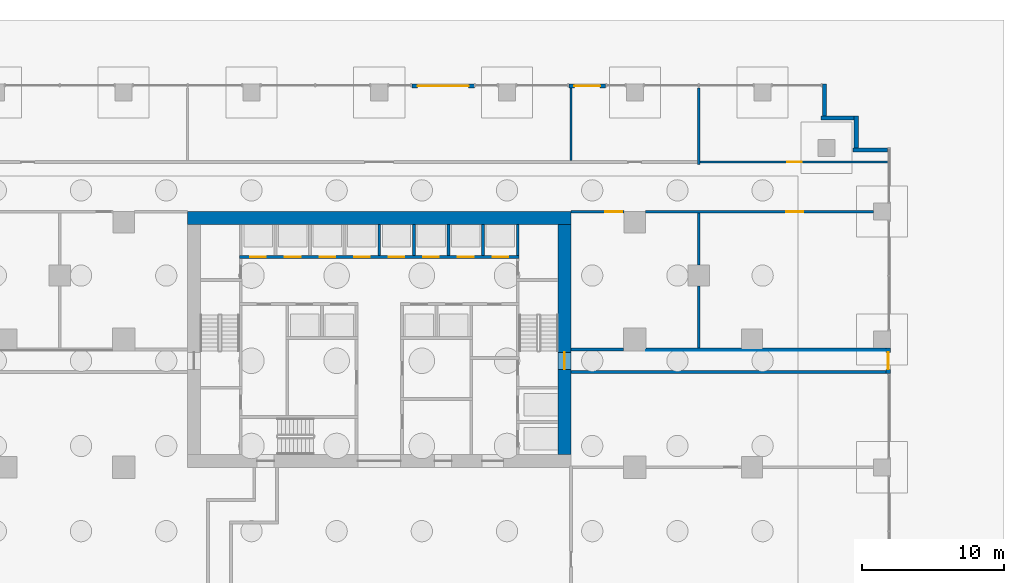
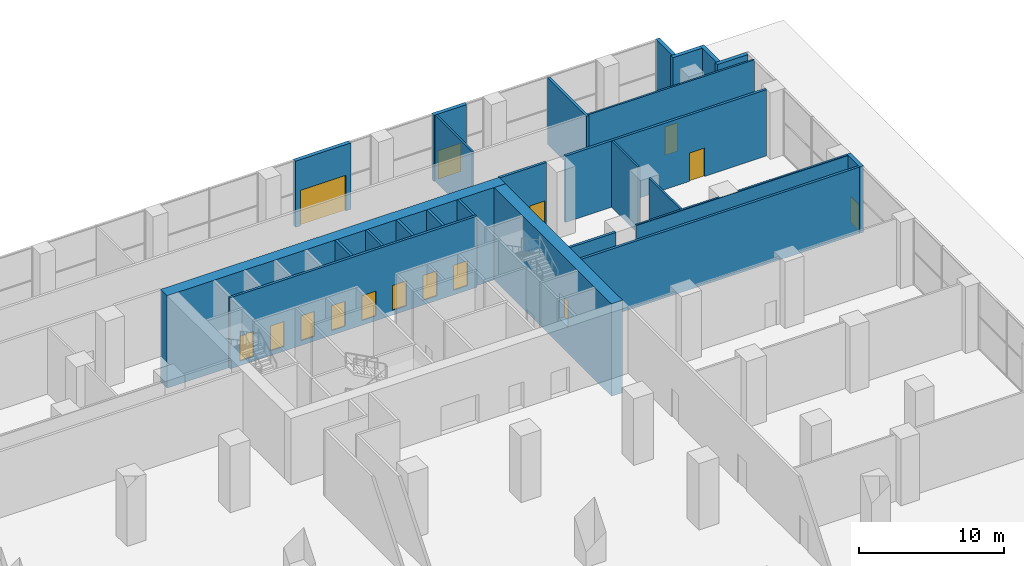
# One storey, part 17 of 20: 27 walls, 15 doors, 15 openings.
"""IFC4 building model written with IfcOpenShell, lengths in metres."""

from ifc_helpers import new_model, si_unit, direction, frame, frame_2d, origin, place, context, subcontext, project, spatial, rectangle, extrude, material, layer, layer_set, type_object, element, fill, save


model = new_model("IFC4")

# Units and contexts
model_context = context("Model", 3, precision=1e-05, world=origin(), true_north=direction((0.0, 1.0)))
body_context = subcontext(model_context, "Body", "Model", "MODEL_VIEW")
ifc_project = project(units=[si_unit("LENGTHUNIT", "METRE"), si_unit("AREAUNIT", "SQUARE_METRE"), si_unit("VOLUMEUNIT", "CUBIC_METRE"), si_unit("PLANEANGLEUNIT", "RADIAN"), si_unit("MASSUNIT", "GRAM", prefix="KILO")], contexts=[model_context])

# Site, building, storey
site_placement = place(None, origin())
site = spatial("IfcSite", under=ifc_project, at=site_placement, CompositionType="ELEMENT")
building_placement = place(site_placement, origin())
building = spatial("IfcBuilding", under=site, at=building_placement, Name="Orbiselva Terraces", CompositionType="ELEMENT")
storey_placement = place(building_placement, origin())
storey = spatial("IfcBuildingStorey", under=building, at=storey_placement, Name="L00", CompositionType="ELEMENT", Elevation=0.0)

# Wall, opening, door
ifc_material_1 = material(Name="Concrete C80/95", Category="concrete")
ifc_layer_1 = layer(ifc_material_1, 0.9)
ifc_layer_set_1 = layer_set([ifc_layer_1], Name="Concrete C80/95")
wall_type_1 = type_object("IfcWallType", Name="CORE WALL 900", PredefinedType="SHEAR", material=ifc_layer_set_1)
wall_1_placement = place(storey_placement, frame((13.05, 5.4, -2.2), z_axis=(0.0, 0.0, 1.0), x_axis=(0.0, 1.0, 0.0)))
wall_1 = element("IfcWall", 1, at=wall_1_placement, inside=storey, type_object=wall_type_1, Name="Core wall L00 east", PredefinedType="SHEAR", context=body_context, shape_type="SweptSolid", body=[
    extrude(rectangle(XDim=16.2, YDim=0.9, at=frame_2d((8.1, 0.0))), origin(), (0.0, 0.0, 1.0), 7.8),
])
opening_1_placement = place(wall_1_placement, frame((6.0, 0.0, 2.2)))
opening_1 = element("IfcOpeningElement", 2, at=opening_1_placement, cuts=wall_1, Name="Opening DS1200", PredefinedType="OPENING", context=body_context, shape_type="SweptSolid", body=[
    extrude(rectangle(XDim=1.2, YDim=2.2, at=frame_2d((0.6, 1.1))), frame((0.0, 0.46, 0.0), z_axis=(0.0, -1.0, 0.0), x_axis=(1.0, 0.0, 0.0)), (0.0, 0.0, 1.0), 0.92),
])
ifc_material_2 = material(Name="Steel fire door", Category="steel")
door_type_1 = type_object("IfcDoorType", Name="STAIR DOOR 1200", OperationType="NOTDEFINED", PredefinedType="DOOR", material=ifc_material_2)
door_1_placement = place(opening_1_placement, frame((1.2, 0.0, 0.0), z_axis=(0.0, 0.0, 1.0), x_axis=(-1.0, 0.0, 0.0)))
door_1 = element("IfcDoor", 3, at=door_1_placement, inside=storey, type_object=door_type_1, Name="L00 EXIT STAIR S2 door", OperationType="SINGLE_SWING_LEFT", OverallHeight=2.2, OverallWidth=1.2, PredefinedType="DOOR", context=body_context, shape_type="SweptSolid", body=[
    extrude(rectangle(XDim=1.2, YDim=2.2, at=frame_2d((0.6, 1.1))), frame((0.0, 0.025, 0.0), z_axis=(0.0, -1.0, 0.0), x_axis=(1.0, 0.0, 0.0)), (0.0, 0.0, 1.0), 0.05),
])
fill(opening_1, door_1)

# Walls
ifc_layer_2 = layer(ifc_material_1, 0.9)
ifc_layer_set_2 = layer_set([ifc_layer_2], Name="Concrete C80/95")
wall_type_2 = type_object("IfcWallType", Name="CORE WALL 900 EXTERNAL", PredefinedType="SHEAR", material=ifc_layer_set_2)
wall_2_placement = place(storey_placement, frame((13.5, 22.05, -2.2), z_axis=(0.0, 0.0, 1.0), x_axis=(-1.0, 0.0, 0.0)))
element("IfcWall", 4, at=wall_2_placement, inside=storey, type_object=wall_type_2, Name="Core wall L00 north", PredefinedType="SHEAR", context=body_context, shape_type="SweptSolid", body=[
    extrude(rectangle(XDim=27.0, YDim=0.9, at=frame_2d((13.5, 0.0))), origin(), (0.0, 0.0, 1.0), 7.8),
])
ifc_material_3 = material(Name="Masonry blockwork", Category="masonry")
ifc_layer_3 = layer(ifc_material_3, 0.15)
ifc_layer_set_3 = layer_set([ifc_layer_3], Name="Masonry blockwork")
wall_type_3 = type_object("IfcWallType", Name="CORE-WALL-PARTITION-150-EI120", PredefinedType="PARTITIONING", material=ifc_layer_set_3)
wall_3_placement = place(storey_placement, frame((18.8, 12.825, 0.0), z_axis=(0.0, 0.0, 1.0), x_axis=(1.0, 0.0, 0.0)))
element("IfcWall", 5, at=wall_3_placement, inside=storey, type_object=wall_type_3, Name="EXIT PASSAGE S2 wall 4", PredefinedType="PARTITIONING", context=body_context, shape_type="SweptSolid", body=[
    extrude(rectangle(XDim=6.7, YDim=0.15, at=frame_2d((3.35, 0.0))), origin(), (0.0, 0.0, 1.0), 5.6),
])
wall_4_placement = place(storey_placement, frame((27.0, 12.825, 0.0), z_axis=(0.0, 0.0, 1.0), x_axis=(1.0, 0.0, 0.0)))
element("IfcWall", 6, at=wall_4_placement, inside=storey, type_object=wall_type_3, Name="EXIT PASSAGE S2 wall 5", PredefinedType="PARTITIONING", context=body_context, shape_type="SweptSolid", body=[
    extrude(rectangle(XDim=8.7, YDim=0.15, at=frame_2d((4.35, 0.0))), origin(), (0.0, 0.0, 1.0), 5.6),
])
ifc_layer_4 = layer(ifc_material_3, 0.2)
ifc_layer_set_4 = layer_set([ifc_layer_4], Name="Masonry blockwork")
wall_type_4 = type_object("IfcWallType", Name="CORE-WALL-PARTITION-200-EI120", PredefinedType="PARTITIONING", material=ifc_layer_set_4)
wall_5_placement = place(storey_placement, frame((13.5, 11.2, 0.0), z_axis=(0.0, 0.0, 1.0), x_axis=(1.0, 0.0, 0.0)))
element("IfcWall", 7, at=wall_5_placement, inside=storey, type_object=wall_type_4, Name="EXIT PASSAGE S2 wall 1", PredefinedType="PARTITIONING", context=body_context, shape_type="SweptSolid", body=[
    extrude(rectangle(XDim=22.2, YDim=0.2, at=frame_2d((11.1, 0.0))), origin(), (0.0, 0.0, 1.0), 5.6),
])
wall_6_placement = place(storey_placement, frame((13.5, 12.8, 0.0), z_axis=(0.0, 0.0, 1.0), x_axis=(1.0, 0.0, 0.0)))
element("IfcWall", 8, at=wall_6_placement, inside=storey, type_object=wall_type_4, Name="EXIT PASSAGE S2 wall 2", PredefinedType="PARTITIONING", context=body_context, shape_type="SweptSolid", body=[
    extrude(rectangle(XDim=3.7, YDim=0.2, at=frame_2d((1.85, 0.0))), origin(), (0.0, 0.0, 1.0), 5.6),
])

# Wall, opening, door
ifc_layer_5 = layer(ifc_material_3, 0.3)
ifc_layer_set_5 = layer_set([ifc_layer_5], Name="Masonry blockwork")
wall_type_5 = type_object("IfcWallType", Name="CORE-WALL-PARTITION-300-EI120", PredefinedType="PARTITIONING", material=ifc_layer_set_5)
wall_7_placement = place(storey_placement, frame((35.85, 12.9, 0.0), z_axis=(0.0, 0.0, 1.0), x_axis=(0.0, -1.0, 0.0)))
wall_7 = element("IfcWall", 9, at=wall_7_placement, inside=storey, type_object=wall_type_5, Name="EXIT PASSAGE S2 end wall", PredefinedType="PARTITIONING", context=body_context, shape_type="SweptSolid", body=[
    extrude(rectangle(XDim=1.8, YDim=0.3, at=frame_2d((0.9, 0.0))), origin(), (0.0, 0.0, 1.0), 5.6),
])
opening_2_placement = place(wall_7_placement, frame((0.3, 0.0, 0.0)))
opening_2 = element("IfcOpeningElement", 10, at=opening_2_placement, cuts=wall_7, Name="Opening CX2", PredefinedType="OPENING", context=body_context, shape_type="SweptSolid", body=[
    extrude(rectangle(XDim=1.2, YDim=2.2, at=frame_2d((0.6, 1.1))), frame((0.0, 0.16, 0.0), z_axis=(0.0, -1.0, 0.0), x_axis=(1.0, 0.0, 0.0)), (0.0, 0.0, 1.0), 0.32),
])
door_2_placement = place(opening_2_placement, origin())
door_2 = element("IfcDoor", 11, at=door_2_placement, inside=storey, type_object=door_type_1, Name="EXIT PASSAGE S2 final exit door", OperationType="SINGLE_SWING_LEFT", OverallHeight=2.2, OverallWidth=1.2, PredefinedType="DOOR", context=body_context, shape_type="SweptSolid", body=[
    extrude(rectangle(XDim=1.2, YDim=2.2, at=frame_2d((0.6, 1.1))), frame((0.0, 0.025, 0.0), z_axis=(0.0, -1.0, 0.0), x_axis=(1.0, 0.0, 0.0)), (0.0, 0.0, 1.0), 0.05),
])
fill(opening_2, door_2)

# Walls
ifc_layer_6 = layer(ifc_material_3, 0.05)
ifc_layer_set_6 = layer_set([ifc_layer_6], Name="Masonry blockwork")
wall_type_6 = type_object("IfcWallType", Name="CORE-WALL-PARTITION-50-EI120", PredefinedType="PARTITIONING", material=ifc_layer_set_6)
wall_8_placement = place(storey_placement, frame((18.8, 12.725, 0.0), z_axis=(0.0, 0.0, 1.0), x_axis=(1.0, 0.0, 0.0)))
element("IfcWall", 12, at=wall_8_placement, inside=storey, type_object=wall_type_6, Name="EXIT PASSAGE S2 wall 3", PredefinedType="PARTITIONING", context=body_context, shape_type="SweptSolid", body=[
    extrude(rectangle(XDim=16.9, YDim=0.05, at=frame_2d((8.45, 0.0))), origin(), (0.0, 0.0, 1.0), 5.6),
])
ifc_material_4 = material(Name="Concrete C40/50", Category="concrete")
ifc_layer_7 = layer(ifc_material_4, 0.2)
ifc_layer_set_7 = layer_set([ifc_layer_7], Name="Concrete C40/50")
wall_type_7 = type_object("IfcWallType", Name="CORE-WALL-SHAFT-200", PredefinedType="PARTITIONING", material=ifc_layer_set_7)
for number, where, z_axis, x_axis, name in (
    (13, (0.0, 19.4, -0.4), (0.0, 0.0, 1.0), (0.0, 1.0, 0.0), "L00 core wall 22"),
    (14, (2.4375, 19.4, -0.4), (0.0, 0.0, 1.0), (0.0, 1.0, 0.0), "L00 core wall 29"),
    (15, (4.875, 19.4, -0.4), (0.0, 0.0, 1.0), (0.0, 1.0, 0.0), "L00 core wall 31"),
    (16, (7.3125, 19.4, -0.4), (0.0, 0.0, 1.0), (0.0, 1.0, 0.0), "L00 core wall 37"),
    (17, (9.75, 19.4, -0.4), (0.0, 0.0, 1.0), (0.0, 1.0, 0.0), "L00 core wall 47"),
):
    element("IfcWall", number, at=place(storey_placement, frame(where, z_axis=z_axis, x_axis=x_axis)), inside=storey, type_object=wall_type_7, Name=name, PredefinedType="PARTITIONING", context=body_context, shape_type="SweptSolid", body=[
        extrude(rectangle(XDim=2.2, YDim=0.2, at=frame_2d((1.1, 0.0))), origin(), (0.0, 0.0, 1.0), 6.0),
    ])

# Wall, openings, doors
ifc_material_5 = material(Name="Concrete C60/75", Category="concrete")
ifc_layer_8 = layer(ifc_material_5, 0.2)
ifc_layer_set_8 = layer_set([ifc_layer_8], Name="Concrete C60/75")
wall_type_8 = type_object("IfcWallType", Name="CORE-WALL-SHEAR-200", PredefinedType="SHEAR", material=ifc_layer_set_8)
wall_9_placement = place(storey_placement, frame((-9.85, 19.3, -0.4), z_axis=(0.0, 0.0, 1.0), x_axis=(1.0, 0.0, 0.0)))
wall_9 = element("IfcWall", 18, at=wall_9_placement, inside=storey, type_object=wall_type_8, Name="L00 core wall 10", PredefinedType="SHEAR", context=body_context, shape_type="SweptSolid", body=[
    extrude(rectangle(XDim=19.7, YDim=0.2, at=frame_2d((9.85, 0.0))), origin(), (0.0, 0.0, 1.0), 6.0),
])
opening_3_placement = place(wall_9_placement, frame((0.76875, 0.0, 0.4)))
opening_3 = element("IfcOpeningElement", 19, at=opening_3_placement, cuts=wall_9, Name="Opening LD-LR1", PredefinedType="OPENING", context=body_context, shape_type="SweptSolid", body=[
    extrude(rectangle(XDim=1.1, YDim=2.1, at=frame_2d((0.55, 1.05))), frame((0.0, 0.11, 0.0), z_axis=(0.0, -1.0, 0.0), x_axis=(1.0, 0.0, 0.0)), (0.0, 0.0, 1.0), 0.22),
])
opening_4_placement = place(wall_9_placement, frame((3.20625, 0.0, 0.4)))
opening_4 = element("IfcOpeningElement", 20, at=opening_4_placement, cuts=wall_9, Name="Opening LD-LR2", PredefinedType="OPENING", context=body_context, shape_type="SweptSolid", body=[
    extrude(rectangle(XDim=1.1, YDim=2.1, at=frame_2d((0.55, 1.05))), frame((0.0, 0.11, 0.0), z_axis=(0.0, -1.0, 0.0), x_axis=(1.0, 0.0, 0.0)), (0.0, 0.0, 1.0), 0.22),
])
opening_5_placement = place(wall_9_placement, frame((5.64375, 0.0, 0.4)))
opening_5 = element("IfcOpeningElement", 21, at=opening_5_placement, cuts=wall_9, Name="Opening LD-LR3", PredefinedType="OPENING", context=body_context, shape_type="SweptSolid", body=[
    extrude(rectangle(XDim=1.1, YDim=2.1, at=frame_2d((0.55, 1.05))), frame((0.0, 0.11, 0.0), z_axis=(0.0, -1.0, 0.0), x_axis=(1.0, 0.0, 0.0)), (0.0, 0.0, 1.0), 0.22),
])
opening_6_placement = place(wall_9_placement, frame((8.08125, 0.0, 0.4)))
opening_6 = element("IfcOpeningElement", 22, at=opening_6_placement, cuts=wall_9, Name="Opening LD-LR4", PredefinedType="OPENING", context=body_context, shape_type="SweptSolid", body=[
    extrude(rectangle(XDim=1.1, YDim=2.1, at=frame_2d((0.55, 1.05))), frame((0.0, 0.11, 0.0), z_axis=(0.0, -1.0, 0.0), x_axis=(1.0, 0.0, 0.0)), (0.0, 0.0, 1.0), 0.22),
])
opening_7_placement = place(wall_9_placement, frame((10.51875, 0.0, 0.4)))
opening_7 = element("IfcOpeningElement", 23, at=opening_7_placement, cuts=wall_9, Name="Opening LD-HR1", PredefinedType="OPENING", context=body_context, shape_type="SweptSolid", body=[
    extrude(rectangle(XDim=1.1, YDim=2.1, at=frame_2d((0.55, 1.05))), frame((0.0, 0.11, 0.0), z_axis=(0.0, -1.0, 0.0), x_axis=(1.0, 0.0, 0.0)), (0.0, 0.0, 1.0), 0.22),
])
opening_8_placement = place(wall_9_placement, frame((12.95625, 0.0, 0.4)))
opening_8 = element("IfcOpeningElement", 24, at=opening_8_placement, cuts=wall_9, Name="Opening LD-HR2", PredefinedType="OPENING", context=body_context, shape_type="SweptSolid", body=[
    extrude(rectangle(XDim=1.1, YDim=2.1, at=frame_2d((0.55, 1.05))), frame((0.0, 0.11, 0.0), z_axis=(0.0, -1.0, 0.0), x_axis=(1.0, 0.0, 0.0)), (0.0, 0.0, 1.0), 0.22),
])
opening_9_placement = place(wall_9_placement, frame((15.39375, 0.0, 0.4)))
opening_9 = element("IfcOpeningElement", 25, at=opening_9_placement, cuts=wall_9, Name="Opening LD-HR3", PredefinedType="OPENING", context=body_context, shape_type="SweptSolid", body=[
    extrude(rectangle(XDim=1.1, YDim=2.1, at=frame_2d((0.55, 1.05))), frame((0.0, 0.11, 0.0), z_axis=(0.0, -1.0, 0.0), x_axis=(1.0, 0.0, 0.0)), (0.0, 0.0, 1.0), 0.22),
])
opening_10_placement = place(wall_9_placement, frame((17.83125, 0.0, 0.4)))
opening_10 = element("IfcOpeningElement", 26, at=opening_10_placement, cuts=wall_9, Name="Opening LD-HR4", PredefinedType="OPENING", context=body_context, shape_type="SweptSolid", body=[
    extrude(rectangle(XDim=1.1, YDim=2.1, at=frame_2d((0.55, 1.05))), frame((0.0, 0.11, 0.0), z_axis=(0.0, -1.0, 0.0), x_axis=(1.0, 0.0, 0.0)), (0.0, 0.0, 1.0), 0.22),
])
ifc_material_6 = material(Name="Stainless steel landing door", Category="steel")
door_type_2 = type_object("IfcDoorType", Name="LANDING DOOR 1100", OperationType="SLIDING_TO_LEFT", PredefinedType="DOOR", material=ifc_material_6)
door_3_placement = place(opening_3_placement, origin())
door_3 = element("IfcDoor", 27, at=door_3_placement, inside=storey, type_object=door_type_2, Name="L00 landing door LR1", OperationType="SLIDING_TO_LEFT", OverallHeight=2.1, OverallWidth=1.1, PredefinedType="DOOR", context=body_context, shape_type="SweptSolid", body=[
    extrude(rectangle(XDim=1.1, YDim=2.1, at=frame_2d((0.55, 1.05))), frame((0.0, 0.025, 0.0), z_axis=(0.0, -1.0, 0.0), x_axis=(1.0, 0.0, 0.0)), (0.0, 0.0, 1.0), 0.05),
])
fill(opening_3, door_3)
door_4_placement = place(opening_4_placement, origin())
door_4 = element("IfcDoor", 28, at=door_4_placement, inside=storey, type_object=door_type_2, Name="L00 landing door LR2", OperationType="SLIDING_TO_LEFT", OverallHeight=2.1, OverallWidth=1.1, PredefinedType="DOOR", context=body_context, shape_type="SweptSolid", body=[
    extrude(rectangle(XDim=1.1, YDim=2.1, at=frame_2d((0.55, 1.05))), frame((0.0, 0.025, 0.0), z_axis=(0.0, -1.0, 0.0), x_axis=(1.0, 0.0, 0.0)), (0.0, 0.0, 1.0), 0.05),
])
fill(opening_4, door_4)
door_5_placement = place(opening_5_placement, origin())
door_5 = element("IfcDoor", 29, at=door_5_placement, inside=storey, type_object=door_type_2, Name="L00 landing door LR3", OperationType="SLIDING_TO_LEFT", OverallHeight=2.1, OverallWidth=1.1, PredefinedType="DOOR", context=body_context, shape_type="SweptSolid", body=[
    extrude(rectangle(XDim=1.1, YDim=2.1, at=frame_2d((0.55, 1.05))), frame((0.0, 0.025, 0.0), z_axis=(0.0, -1.0, 0.0), x_axis=(1.0, 0.0, 0.0)), (0.0, 0.0, 1.0), 0.05),
])
fill(opening_5, door_5)
door_6_placement = place(opening_6_placement, origin())
door_6 = element("IfcDoor", 30, at=door_6_placement, inside=storey, type_object=door_type_2, Name="L00 landing door LR4", OperationType="SLIDING_TO_LEFT", OverallHeight=2.1, OverallWidth=1.1, PredefinedType="DOOR", context=body_context, shape_type="SweptSolid", body=[
    extrude(rectangle(XDim=1.1, YDim=2.1, at=frame_2d((0.55, 1.05))), frame((0.0, 0.025, 0.0), z_axis=(0.0, -1.0, 0.0), x_axis=(1.0, 0.0, 0.0)), (0.0, 0.0, 1.0), 0.05),
])
fill(opening_6, door_6)
door_7_placement = place(opening_7_placement, origin())
door_7 = element("IfcDoor", 31, at=door_7_placement, inside=storey, type_object=door_type_2, Name="L00 landing door HR1", OperationType="SLIDING_TO_RIGHT", OverallHeight=2.1, OverallWidth=1.1, PredefinedType="DOOR", context=body_context, shape_type="SweptSolid", body=[
    extrude(rectangle(XDim=1.1, YDim=2.1, at=frame_2d((0.55, 1.05))), frame((0.0, 0.025, 0.0), z_axis=(0.0, -1.0, 0.0), x_axis=(1.0, 0.0, 0.0)), (0.0, 0.0, 1.0), 0.05),
])
fill(opening_7, door_7)
door_8_placement = place(opening_8_placement, origin())
door_8 = element("IfcDoor", 32, at=door_8_placement, inside=storey, type_object=door_type_2, Name="L00 landing door HR2", OperationType="SLIDING_TO_RIGHT", OverallHeight=2.1, OverallWidth=1.1, PredefinedType="DOOR", context=body_context, shape_type="SweptSolid", body=[
    extrude(rectangle(XDim=1.1, YDim=2.1, at=frame_2d((0.55, 1.05))), frame((0.0, 0.025, 0.0), z_axis=(0.0, -1.0, 0.0), x_axis=(1.0, 0.0, 0.0)), (0.0, 0.0, 1.0), 0.05),
])
fill(opening_8, door_8)
door_9_placement = place(opening_9_placement, origin())
door_9 = element("IfcDoor", 33, at=door_9_placement, inside=storey, type_object=door_type_2, Name="L00 landing door HR3", OperationType="SLIDING_TO_RIGHT", OverallHeight=2.1, OverallWidth=1.1, PredefinedType="DOOR", context=body_context, shape_type="SweptSolid", body=[
    extrude(rectangle(XDim=1.1, YDim=2.1, at=frame_2d((0.55, 1.05))), frame((0.0, 0.025, 0.0), z_axis=(0.0, -1.0, 0.0), x_axis=(1.0, 0.0, 0.0)), (0.0, 0.0, 1.0), 0.05),
])
fill(opening_9, door_9)
door_10_placement = place(opening_10_placement, origin())
door_10 = element("IfcDoor", 34, at=door_10_placement, inside=storey, type_object=door_type_2, Name="L00 landing door HR4", OperationType="SLIDING_TO_RIGHT", OverallHeight=2.1, OverallWidth=1.1, PredefinedType="DOOR", context=body_context, shape_type="SweptSolid", body=[
    extrude(rectangle(XDim=1.1, YDim=2.1, at=frame_2d((0.55, 1.05))), frame((0.0, 0.025, 0.0), z_axis=(0.0, -1.0, 0.0), x_axis=(1.0, 0.0, 0.0)), (0.0, 0.0, 1.0), 0.05),
])
fill(opening_10, door_10)

# Walls
ifc_material_7 = material(Name="Terracotta cladding on masonry backing", Category="masonry")
ifc_layer_9 = layer(ifc_material_7, 0.3)
ifc_layer_set_9 = layer_set([ifc_layer_9], Name="Terracotta cladding on masonry backing")
wall_type_9 = type_object("IfcWallType", Name="ENV-WALL-TERRACOTTA-300", PredefinedType="SOLIDWALL", material=ifc_layer_set_9)
wall_10_placement = place(storey_placement, frame((33.35, 26.85, 0.0), z_axis=(0.0, 0.0, 1.0), x_axis=(1.0, 0.0, 0.0)))
element("IfcWall", 35, at=wall_10_placement, inside=storey, type_object=wall_type_9, Name="Facade wall L00 STEP", PredefinedType="SOLIDWALL", context=body_context, shape_type="SweptSolid", body=[
    extrude(rectangle(XDim=2.45, YDim=0.3, at=frame_2d((1.225, 0.0))), origin(), (0.0, 0.0, 1.0), 5.6),
])
wall_11_placement = place(storey_placement, frame((33.6, 29.25, 0.0), z_axis=(0.0, 0.0, 1.0), x_axis=(0.0, -1.0, 0.0)))
element("IfcWall", 36, at=wall_11_placement, inside=storey, type_object=wall_type_9, Name="Facade wall L00 STEP", PredefinedType="SOLIDWALL", context=body_context, shape_type="SweptSolid", body=[
    extrude(rectangle(XDim=2.25, YDim=0.3, at=frame_2d((1.125, 0.0))), origin(), (0.0, 0.0, 1.0), 5.6),
])
wall_12_placement = place(storey_placement, frame((31.1, 29.1, 0.0), z_axis=(0.0, 0.0, 1.0), x_axis=(1.0, 0.0, 0.0)))
element("IfcWall", 37, at=wall_12_placement, inside=storey, type_object=wall_type_9, Name="Facade wall L00 STEP", PredefinedType="SOLIDWALL", context=body_context, shape_type="SweptSolid", body=[
    extrude(rectangle(XDim=2.35, YDim=0.3, at=frame_2d((1.175, 0.0))), origin(), (0.0, 0.0, 1.0), 5.6),
])
wall_13_placement = place(storey_placement, frame((31.35, 31.5, 0.0), z_axis=(0.0, 0.0, 1.0), x_axis=(0.0, -1.0, 0.0)))
element("IfcWall", 38, at=wall_13_placement, inside=storey, type_object=wall_type_9, Name="Facade wall L00 STEP", PredefinedType="SOLIDWALL", context=body_context, shape_type="SweptSolid", body=[
    extrude(rectangle(XDim=2.25, YDim=0.3, at=frame_2d((1.125, 0.0))), origin(), (0.0, 0.0, 1.0), 5.6),
])

# Wall, opening, door
wall_14_placement = place(storey_placement, frame((2.3, 31.35, 0.0), z_axis=(0.0, 0.0, 1.0), x_axis=(1.0, 0.0, 0.0)))
wall_14 = element("IfcWall", 39, at=wall_14_placement, inside=storey, type_object=wall_type_9, Name="Facade wall L00 N", PredefinedType="SOLIDWALL", context=body_context, shape_type="SweptSolid", body=[
    extrude(rectangle(XDim=4.4, YDim=0.3, at=frame_2d((2.2, 0.0))), origin(), (0.0, 0.0, 1.0), 5.6),
])
opening_11_placement = place(wall_14_placement, frame((0.4, 0.0, 0.0)))
opening_11 = element("IfcOpeningElement", 40, at=opening_11_placement, cuts=wall_14, Name="Opening PODIUM-GROUND-E05", PredefinedType="OPENING", context=body_context, shape_type="SweptSolid", body=[
    extrude(rectangle(XDim=3.6, YDim=3.0, at=frame_2d((1.8, 1.5))), frame((0.0, 0.16, 0.0), z_axis=(0.0, -1.0, 0.0), x_axis=(1.0, 0.0, 0.0)), (0.0, 0.0, 1.0), 0.32),
])
ifc_material_8 = material(Name="Galvanised steel roller shutter", Category="steel")
door_type_3 = type_object("IfcDoorType", Name="LOADING DOOR 3600 X 3000", OperationType="ROLLINGUP", PredefinedType="DOOR", material=ifc_material_8)
door_11_placement = place(opening_11_placement, origin())
door_11 = element("IfcDoor", 41, at=door_11_placement, inside=storey, type_object=door_type_3, Name="PODIUM-GROUND-E05", OperationType="SINGLE_SWING_LEFT", OverallHeight=3.0, OverallWidth=3.6, PredefinedType="DOOR", context=body_context, shape_type="SweptSolid", body=[
    extrude(rectangle(XDim=3.6, YDim=3.0, at=frame_2d((1.8, 1.5))), frame((0.0, 0.025, 0.0), z_axis=(0.0, -1.0, 0.0), x_axis=(1.0, 0.0, 0.0)), (0.0, 0.0, 1.0), 0.05),
])
fill(opening_11, door_11)

wall_15_placement = place(storey_placement, frame((13.35, 31.35, 0.0), z_axis=(0.0, 0.0, 1.0), x_axis=(1.0, 0.0, 0.0)))
wall_15 = element("IfcWall", 42, at=wall_15_placement, inside=storey, type_object=wall_type_9, Name="Facade wall L00 N", PredefinedType="SOLIDWALL", context=body_context, shape_type="SweptSolid", body=[
    extrude(rectangle(XDim=2.6, YDim=0.3, at=frame_2d((1.3, 0.0))), origin(), (0.0, 0.0, 1.0), 5.6),
])
opening_12_placement = place(wall_15_placement, frame((0.4, 0.0, 0.0)))
opening_12 = element("IfcOpeningElement", 43, at=opening_12_placement, cuts=wall_15, Name="Opening PODIUM-GROUND-E06", PredefinedType="OPENING", context=body_context, shape_type="SweptSolid", body=[
    extrude(rectangle(XDim=1.8, YDim=2.4, at=frame_2d((0.9, 1.2))), frame((0.0, 0.16, 0.0), z_axis=(0.0, -1.0, 0.0), x_axis=(1.0, 0.0, 0.0)), (0.0, 0.0, 1.0), 0.32),
])
ifc_material_9 = material(Name="Clear low-e glazing in aluminium frame", Category="aluminium")
door_type_4 = type_object("IfcDoorType", Name="SERVICE DOOR 1800 X 2400", OperationType="DOUBLE_DOOR_DOUBLE_SWING", PredefinedType="DOOR", material=ifc_material_9)
door_12_placement = place(opening_12_placement, origin())
door_12 = element("IfcDoor", 44, at=door_12_placement, inside=storey, type_object=door_type_4, Name="PODIUM-GROUND-E06", OperationType="SINGLE_SWING_LEFT", OverallHeight=2.4, OverallWidth=1.8, PredefinedType="DOOR", context=body_context, shape_type="SweptSolid", body=[
    extrude(rectangle(XDim=1.8, YDim=2.4, at=frame_2d((0.9, 1.2))), frame((0.0, 0.025, 0.0), z_axis=(0.0, -1.0, 0.0), x_axis=(1.0, 0.0, 0.0)), (0.0, 0.0, 1.0), 0.05),
])
fill(opening_12, door_12)

ifc_material_10 = material(Name="Plasterboard on steel stud partition", Category="steel")
ifc_layer_10 = layer(ifc_material_10, 0.2)
ifc_layer_set_10 = layer_set([ifc_layer_10], Name="Plasterboard on steel stud partition")
wall_type_10 = type_object("IfcWallType", Name="UNIT-ENTRANCE-WALL-200", PredefinedType="PARTITIONING", material=ifc_layer_set_10)
wall_16_placement = place(storey_placement, frame((17.25, 22.5, 0.0), z_axis=(0.0, 0.0, 1.0), x_axis=(-1.0, 0.0, 0.0)))
wall_16 = element("IfcWall", 45, at=wall_16_placement, inside=storey, type_object=wall_type_10, Name="PARTITION L00-015", PredefinedType="PARTITIONING", context=body_context, shape_type="SweptSolid", body=[
    extrude(rectangle(XDim=3.75, YDim=0.2, at=frame_2d((1.875, 0.0))), origin(), (0.0, 0.0, 1.0), 5.6),
])
opening_13_placement = place(wall_16_placement, frame((0.15, 0.0, 0.0)))
opening_13 = element("IfcOpeningElement", 46, at=opening_13_placement, cuts=wall_16, Name="Opening PODIUM-GROUND-13", PredefinedType="OPENING", context=body_context, shape_type="SweptSolid", body=[
    extrude(rectangle(XDim=1.2, YDim=2.4, at=frame_2d((0.6, 1.2))), frame((0.0, 0.11, 0.0), z_axis=(0.0, -1.0, 0.0), x_axis=(1.0, 0.0, 0.0)), (0.0, 0.0, 1.0), 0.22),
])
ifc_material_11 = material(Name="Painted timber door leaf", Category="wood")
door_type_5 = type_object("IfcDoorType", Name="PLANT DOOR 1200", OperationType="NOTDEFINED", PredefinedType="DOOR", material=ifc_material_11)
door_13_placement = place(opening_13_placement, origin())
door_13 = element("IfcDoor", 47, at=door_13_placement, inside=storey, type_object=door_type_5, Name="PODIUM-GROUND-13", OperationType="SINGLE_SWING_LEFT", OverallHeight=2.4, OverallWidth=1.2, PredefinedType="DOOR", context=body_context, shape_type="SweptSolid", body=[
    extrude(rectangle(XDim=1.2, YDim=2.4, at=frame_2d((0.6, 1.2))), frame((0.0, 0.025, 0.0), z_axis=(0.0, -1.0, 0.0), x_axis=(1.0, 0.0, 0.0)), (0.0, 0.0, 1.0), 0.05),
])
fill(opening_13, door_13)

wall_17_placement = place(storey_placement, frame((34.8, 22.5, 0.0), z_axis=(0.0, 0.0, 1.0), x_axis=(-1.0, 0.0, 0.0)))
wall_17 = element("IfcWall", 48, at=wall_17_placement, inside=storey, type_object=wall_type_10, Name="PARTITION L00-016", PredefinedType="PARTITIONING", context=body_context, shape_type="SweptSolid", body=[
    extrude(rectangle(XDim=16.05, YDim=0.2, at=frame_2d((8.025, 0.0))), origin(), (0.0, 0.0, 1.0), 5.6),
])
opening_14_placement = place(wall_17_placement, frame((4.95, 0.0, 0.0)))
opening_14 = element("IfcOpeningElement", 49, at=opening_14_placement, cuts=wall_17, Name="Opening PODIUM-GROUND-14", PredefinedType="OPENING", context=body_context, shape_type="SweptSolid", body=[
    extrude(rectangle(XDim=1.2, YDim=2.4, at=frame_2d((0.6, 1.2))), frame((0.0, 0.11, 0.0), z_axis=(0.0, -1.0, 0.0), x_axis=(1.0, 0.0, 0.0)), (0.0, 0.0, 1.0), 0.22),
])
door_14_placement = place(opening_14_placement, origin())
door_14 = element("IfcDoor", 50, at=door_14_placement, inside=storey, type_object=door_type_5, Name="PODIUM-GROUND-14", OperationType="SINGLE_SWING_LEFT", OverallHeight=2.4, OverallWidth=1.2, PredefinedType="DOOR", context=body_context, shape_type="SweptSolid", body=[
    extrude(rectangle(XDim=1.2, YDim=2.4, at=frame_2d((0.6, 1.2))), frame((0.0, 0.025, 0.0), z_axis=(0.0, -1.0, 0.0), x_axis=(1.0, 0.0, 0.0)), (0.0, 0.0, 1.0), 0.05),
])
fill(opening_14, door_14)

# Walls
wall_18_placement = place(storey_placement, frame((22.5, 25.825, 0.0), z_axis=(0.0, 0.0, 1.0), x_axis=(0.0, 1.0, 0.0)))
element("IfcWall", 51, at=wall_18_placement, inside=storey, type_object=wall_type_10, Name="PARTITION L00-024", PredefinedType="PARTITIONING", context=body_context, shape_type="SweptSolid", body=[
    extrude(rectangle(XDim=5.375, YDim=0.2, at=frame_2d((2.6875, 0.0))), origin(), (0.0, 0.0, 1.0), 5.6),
])
ifc_layer_11 = layer(ifc_material_10, 0.15)
ifc_layer_set_11 = layer_set([ifc_layer_11], Name="Plasterboard on steel stud partition")
wall_type_11 = type_object("IfcWallType", Name="UNIT-PARTITION-150", PredefinedType="PARTITIONING", material=ifc_layer_set_11)
wall_19_placement = place(storey_placement, frame((13.5, 26.1, 0.0), z_axis=(0.0, 0.0, 1.0), x_axis=(0.0, 1.0, 0.0)))
element("IfcWall", 52, at=wall_19_placement, inside=storey, type_object=wall_type_11, Name="PARTITION L00-023", PredefinedType="PARTITIONING", context=body_context, shape_type="SweptSolid", body=[
    extrude(rectangle(XDim=5.1, YDim=0.15, at=frame_2d((2.55, 0.0))), origin(), (0.0, 0.0, 1.0), 5.6),
])
wall_20_placement = place(storey_placement, frame((22.5, 12.9, 0.0), z_axis=(0.0, 0.0, 1.0), x_axis=(0.0, 1.0, 0.0)))
element("IfcWall", 53, at=wall_20_placement, inside=storey, type_object=wall_type_11, Name="PARTITION L00-025", PredefinedType="PARTITIONING", context=body_context, shape_type="SweptSolid", body=[
    extrude(rectangle(XDim=4.35, YDim=0.15, at=frame_2d((2.175, 0.0))), origin(), (0.0, 0.0, 1.0), 5.6),
])
wall_21_placement = place(storey_placement, frame((22.5, 18.75, 0.0), z_axis=(0.0, 0.0, 1.0), x_axis=(0.0, 1.0, 0.0)))
element("IfcWall", 54, at=wall_21_placement, inside=storey, type_object=wall_type_11, Name="PARTITION L00-026", PredefinedType="PARTITIONING", context=body_context, shape_type="SweptSolid", body=[
    extrude(rectangle(XDim=3.65, YDim=0.15, at=frame_2d((1.825, 0.0))), origin(), (0.0, 0.0, 1.0), 5.6),
])

# Wall, opening, door
ifc_layer_12 = layer(ifc_material_10, 0.15)
ifc_layer_set_12 = layer_set([ifc_layer_12], Name="Plasterboard on steel stud partition")
wall_type_12 = type_object("IfcWallType", Name="UNIT-PARTITION-FR-150", PredefinedType="PARTITIONING", material=ifc_layer_set_12)
wall_22_placement = place(storey_placement, frame((35.88, 26.0, 0.0), z_axis=(0.0, 0.0, 1.0), x_axis=(-1.0, 0.0, 0.0)))
wall_22 = element("IfcWall", 55, at=wall_22_placement, inside=storey, type_object=wall_type_12, Name="PARTITION L00-018", PredefinedType="PARTITIONING", context=body_context, shape_type="SweptSolid", body=[
    extrude(rectangle(XDim=13.28, YDim=0.15, at=frame_2d((6.64, 0.0))), origin(), (0.0, 0.0, 1.0), 5.6),
])
opening_15_placement = place(wall_22_placement, frame((6.13, 0.0, 0.0)))
opening_15 = element("IfcOpeningElement", 56, at=opening_15_placement, cuts=wall_22, Name="Opening PODIUM-GROUND-10", PredefinedType="OPENING", context=body_context, shape_type="SweptSolid", body=[
    extrude(rectangle(XDim=1.0, YDim=2.4, at=frame_2d((0.5, 1.2))), frame((0.0, 0.085, 0.0), z_axis=(0.0, -1.0, 0.0), x_axis=(1.0, 0.0, 0.0)), (0.0, 0.0, 1.0), 0.17),
])
door_type_6 = type_object("IfcDoorType", Name="ROOM DOOR 1000", OperationType="NOTDEFINED", PredefinedType="DOOR", material=ifc_material_11)
door_15_placement = place(opening_15_placement, origin())
door_15 = element("IfcDoor", 57, at=door_15_placement, inside=storey, type_object=door_type_6, Name="PODIUM-GROUND-10", OperationType="SINGLE_SWING_LEFT", OverallHeight=2.4, OverallWidth=1.0, PredefinedType="DOOR", context=body_context, shape_type="SweptSolid", body=[
    extrude(rectangle(XDim=1.0, YDim=2.4, at=frame_2d((0.5, 1.2))), frame((0.0, 0.025, 0.0), z_axis=(0.0, -1.0, 0.0), x_axis=(1.0, 0.0, 0.0)), (0.0, 0.0, 1.0), 0.05),
])
fill(opening_15, door_15)

save(model, "model.ifc")
